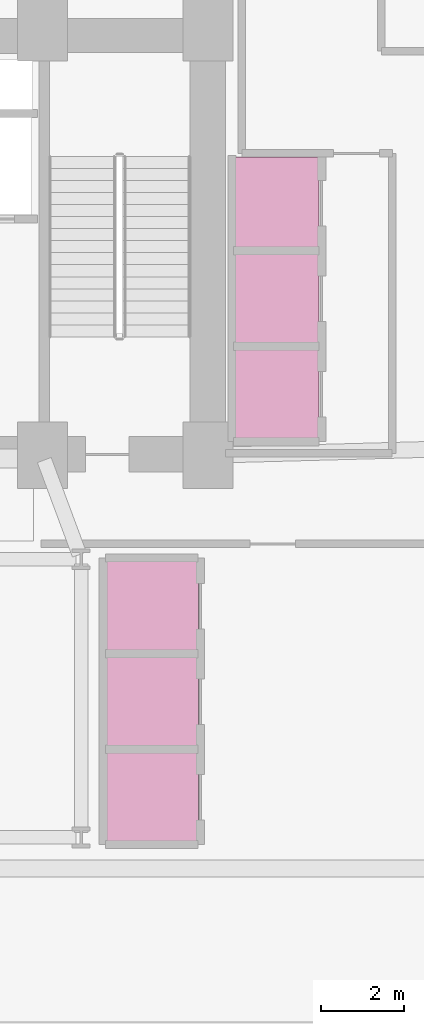
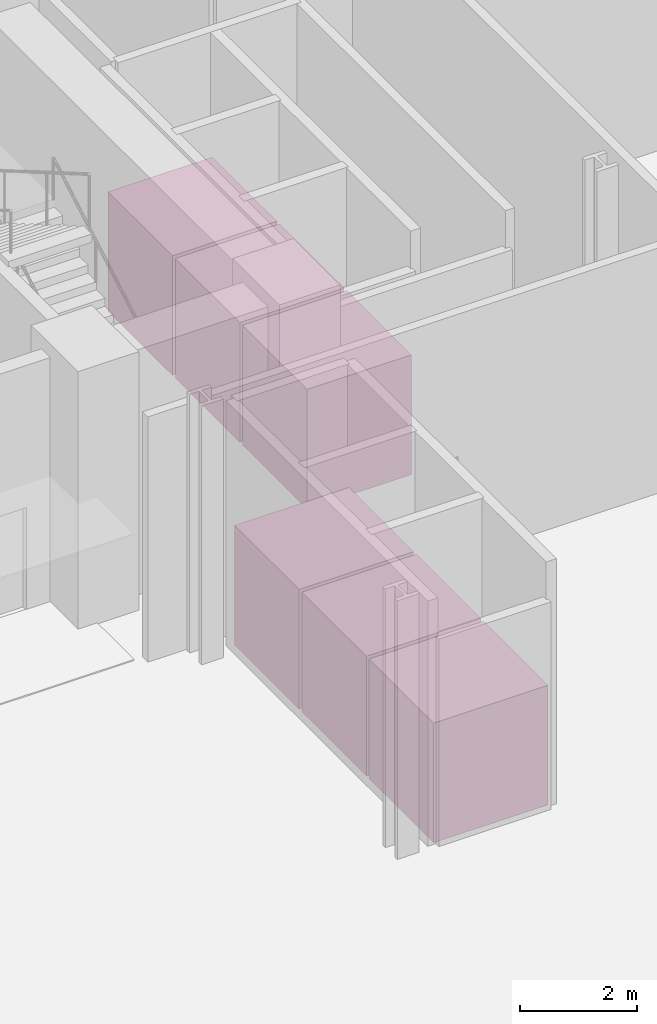
# One storey, part 26 of 26: 6 transport elements.
"""IFC4 building model written with IfcOpenShell, lengths in metres."""

from ifc_helpers import new_model, si_unit, direction, frame, origin, origin_2d, place, context, subcontext, project, spatial, rectangle, extrude, source, transform, mapped, material, type_object, element, save


model = new_model("IFC4")

# Units and contexts
model_context = context("Model", 3, precision=1e-05, world=origin(), true_north=direction((0.0, 1.0)))
body_context = subcontext(model_context, "Body", "Model", "MODEL_VIEW")
ifc_project = project(units=[si_unit("LENGTHUNIT", "METRE"), si_unit("AREAUNIT", "SQUARE_METRE"), si_unit("VOLUMEUNIT", "CUBIC_METRE"), si_unit("PLANEANGLEUNIT", "RADIAN"), si_unit("MASSUNIT", "GRAM", prefix="KILO")], contexts=[model_context])

# Site, building, storey
site_placement = place(None, origin())
site = spatial("IfcSite", under=ifc_project, at=site_placement, CompositionType="ELEMENT")
building_placement = place(site_placement, origin())
building = spatial("IfcBuilding", under=site, at=building_placement, Name="Varnelok Gate Tower", CompositionType="ELEMENT")
storey_placement = place(building_placement, origin())
storey = spatial("IfcBuildingStorey", under=building, at=storey_placement, Name="L00", CompositionType="ELEMENT", Elevation=0.0)

# Transport elements
ifc_material = material(Name="Brushed Stainless Steel AISI 316", Category="steel")
transport_element_type = type_object("IfcTransportElementType", Name="LIFT-PAX-1600", PredefinedType="ELEVATOR", material=ifc_material)
shared_shape_1 = source(origin(), body_context, "Body", "SweptSolid", [
    extrude(rectangle(XDim=2.06005859375, YDim=2.2099609375, at=origin_2d()), origin(), (0.0, 0.0, 1.0), 2.5),
])
for number, where, z_axis, x_axis, name in (
    (1, (49.35009765625, 30.22509765625, 0.0), (0.0, 0.0, 1.0), (1.0, 0.0, 0.0), "Mid-Rise Passenger Lift PM1"),
    (2, (49.35009765625, 32.52490234375, 0.0), (0.0, 0.0, 1.0), (1.0, 0.0, 0.0), "Mid-Rise Passenger Lift PM2"),
    (3, (49.35009765625, 34.824951171875, 0.0), (0.0, 0.0, 1.0), (1.0, 0.0, 0.0), "Mid-Rise Passenger Lift PM3"),
):
    element("IfcTransportElement", number, at=place(storey_placement, frame(where, z_axis=z_axis, x_axis=x_axis)), inside=storey, type_object=transport_element_type, Name=name, PredefinedType="ELEVATOR", context=body_context, shape_type="MappedRepresentation", body=[
        mapped(shared_shape_1, transform((0.0, 0.0, 0.0), scale=1.0)),
    ])
shared_shape_2 = source(origin(), body_context, "Body", "SweptSolid", [
    extrude(rectangle(XDim=2.260009765625, YDim=2.2099609375, at=origin_2d()), origin(), (0.0, 0.0, 1.0), 2.5),
])
for number, where, z_axis, x_axis, name in (
    (4, (46.35009765625, 20.52490234375, 0.0), (0.0, 0.0, 1.0), (1.0, 0.0, 0.0), "High-Rise Passenger Lift PH1"),
    (5, (46.35009765625, 22.824951171875, 0.0), (0.0, 0.0, 1.0), (1.0, 0.0, 0.0), "High-Rise Passenger Lift PH2"),
    (6, (46.35009765625, 25.125, 0.0), (0.0, 0.0, 1.0), (1.0, 0.0, 0.0), "High-Rise Passenger Lift PH3"),
):
    element("IfcTransportElement", number, at=place(storey_placement, frame(where, z_axis=z_axis, x_axis=x_axis)), inside=storey, type_object=transport_element_type, Name=name, PredefinedType="ELEVATOR", context=body_context, shape_type="MappedRepresentation", body=[
        mapped(shared_shape_2, transform((0.0, 0.0, 0.0), scale=1.0)),
    ])

save(model, "model.ifc")
